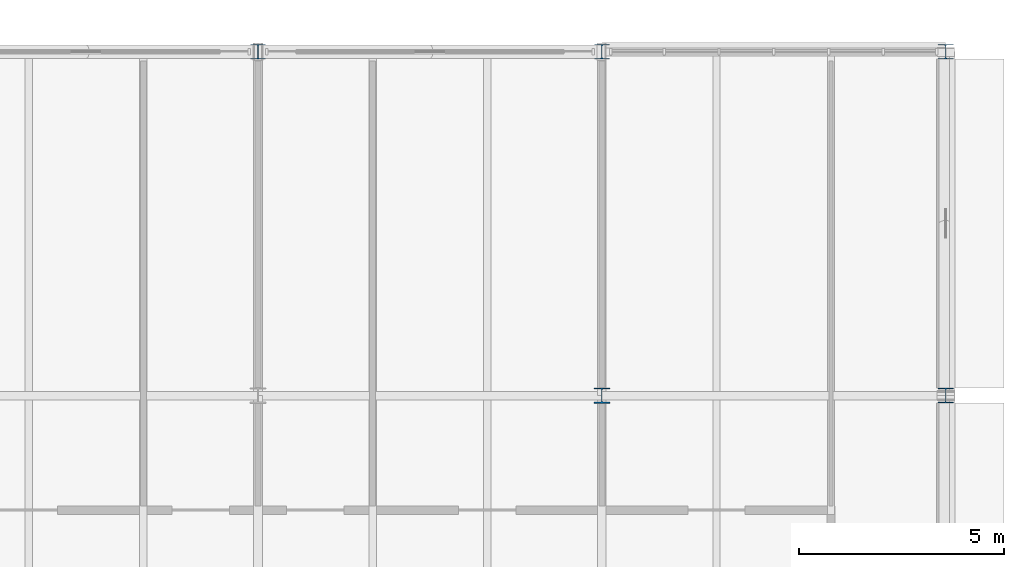
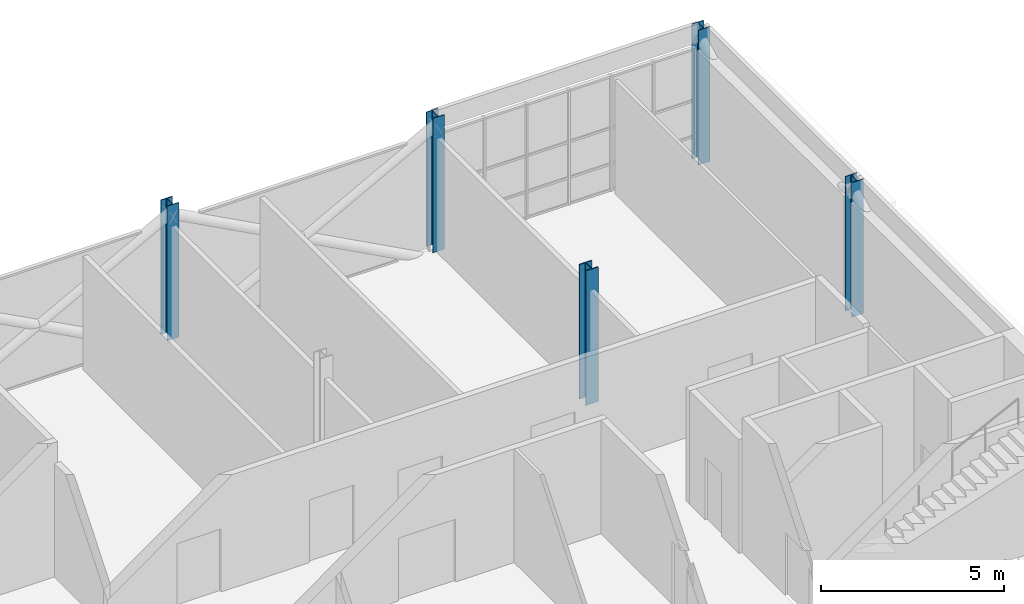
# One storey, part 6 of 121: 5 columns.
"""IFC4 building model written with IfcOpenShell, lengths in metres."""

import ifcopenshell
import ifcopenshell.guid

model = None  # the IFC model being written
_history = None  # IfcOwnerHistory: only IFC2X3 demands one
_inside = {}  # id of a spatial element -> (the spatial element, [elements in it])
_under = {}  # id of a project, library or spatial element -> (it, [spatial elements below it])
_declared = {}  # id of a project -> (the project, [libraries it declares])
_typed = {}  # id of a type object -> (the type object, [elements of that type])
_made_of = {}  # id of a material, layer set ... -> (it, [elements and type objects made of it])


def new_model(schema):
    """Start an empty IFC model of exactly this schema.

    Asked for "IFC4X3", IfcOpenShell would pick the latest addendum, in which some entities
    have other attributes; the version numbers below select the first issue.
    IFC2X3 requires an IfcOwnerHistory on every rooted entity: one is made here for all.
    """
    global model, _history
    if schema == "IFC4X3":
        model = ifcopenshell.file(schema_version=(4, 3, 0, 0))
    else:
        model = ifcopenshell.file(schema=schema)
    _inside.clear()
    _under.clear()
    _declared.clear()
    _typed.clear()
    _made_of.clear()
    _history = None
    if model.schema == "IFC2X3":
        org = make("IfcOrganization", Name="unknown")
        user = make(
            "IfcPersonAndOrganization",
            ThePerson=make("IfcPerson", FamilyName="unknown"),
            TheOrganization=org,
        )
        app = make(
            "IfcApplication",
            ApplicationDeveloper=org,
            Version="unknown",
            ApplicationFullName="unknown",
            ApplicationIdentifier="unknown",
        )
        _history = make(
            "IfcOwnerHistory",
            OwningUser=user,
            OwningApplication=app,
            ChangeAction="ADDED",
            CreationDate=0,
        )
    return model


def make(cls, **values):
    """One entity of the class cls with the attributes given. An attribute that is None is left unset."""
    return model.create_entity(
        cls, **{name: value for name, value in values.items() if value is not None}
    )


def rooted(cls, **values):
    """An entity with a GlobalId (a new one), such as an element, a storey or a relation."""
    return make(cls, GlobalId=ifcopenshell.guid.new(), OwnerHistory=_history, **values)


def si_unit(unit_type, name, prefix=None):
    """IfcSIUnit, for example si_unit("LENGTHUNIT", "METRE", prefix="MILLI")."""
    return make("IfcSIUnit", UnitType=unit_type, Prefix=prefix, Name=name)


def assignment(units):
    """IfcUnitAssignment: the units of a project."""
    return None if units is None else make("IfcUnitAssignment", Units=units)


def point(xyz):
    """IfcCartesianPoint."""
    return None if xyz is None else make("IfcCartesianPoint", Coordinates=xyz)


def direction(xyz):
    """IfcDirection."""
    return None if xyz is None else make("IfcDirection", DirectionRatios=xyz)


def frame(location, z_axis=None, x_axis=None):
    """IfcAxis2Placement3D, a coordinate frame: its origin and axes. An axis left out is left unset."""
    return make(
        "IfcAxis2Placement3D",
        Location=point(location),
        Axis=direction(z_axis),
        RefDirection=direction(x_axis),
    )


def frame_2d(location, x_axis=None):
    """IfcAxis2Placement2D, a coordinate frame in the plane: its origin and x axis."""
    return make(
        "IfcAxis2Placement2D", Location=point(location), RefDirection=direction(x_axis)
    )


def origin():
    """The frame at (0, 0, 0) with its axes left unset."""
    return frame((0.0, 0.0, 0.0))


def origin_2d():
    """The frame at (0, 0) in the plane with its x axis left unset."""
    return frame_2d((0.0, 0.0))


def place(relative_to, where):
    """IfcLocalPlacement: puts the frame where relative to a parent placement (None: the world)."""
    return make(
        "IfcLocalPlacement", PlacementRelTo=relative_to, RelativePlacement=where
    )


def context(
    kind, dimensions, precision=None, world=None, true_north=None, identifier=None
):
    """IfcGeometricRepresentationContext, for example the 3D "Model" context."""
    return make(
        "IfcGeometricRepresentationContext",
        ContextIdentifier=identifier,
        ContextType=kind,
        CoordinateSpaceDimension=dimensions,
        Precision=precision,
        WorldCoordinateSystem=world,
        TrueNorth=true_north,
    )


def subcontext(parent, identifier, kind, view, scale=None):
    """IfcGeometricRepresentationSubContext, for example "Body" below "Model"."""
    return make(
        "IfcGeometricRepresentationSubContext",
        ContextIdentifier=identifier,
        ContextType=kind,
        ParentContext=parent,
        TargetScale=scale,
        TargetView=view,
    )


def project(units=None, contexts=None):
    """IfcProject with its units and contexts."""
    return rooted(
        "IfcProject",
        Name="project",
        RepresentationContexts=contexts,
        UnitsInContext=assignment(units),
    )


def spatial(cls, under=None, at=None, **own):
    """A site, building, storey or space (cls), placed at a placement, below another one or the project."""
    s = rooted(cls, ObjectPlacement=at, **own)
    if under is not None:
        _under.setdefault(under.id(), (under, []))[1].append(s)
    return s


def profile(cls, at=None, kind="AREA", **sizes):
    """A parametric profile (cls). Its sizes go by their IFC names, for example OverallWidth=200.0."""
    return make(cls, ProfileType=kind, Position=at, **sizes)


def i_section(**sizes):
    """IfcIShapeProfileDef."""
    return profile("IfcIShapeProfileDef", **sizes)


def extrude(swept, where, along, depth):
    """IfcExtrudedAreaSolid: the profile swept, set in the frame where, extruded along a direction by depth."""
    return make(
        "IfcExtrudedAreaSolid",
        SweptArea=swept,
        Position=where,
        ExtrudedDirection=direction(along),
        Depth=depth,
    )


def shape(context_of_items, identifier, shape_type, items):
    """IfcShapeRepresentation: the items that make up one representation, for example the "Body"."""
    return make(
        "IfcShapeRepresentation",
        ContextOfItems=context_of_items,
        RepresentationIdentifier=identifier,
        RepresentationType=shape_type,
        Items=items,
    )


def material(Name=None, Category=None):
    """IfcMaterial."""
    return make("IfcMaterial", Name=Name, Category=Category)


def material_profile(
    of_material, cross_section, Name=None, Category=None, Priority=None
):
    """IfcMaterialProfile: a cross section and its material."""
    return make(
        "IfcMaterialProfile",
        Name=Name,
        Material=of_material,
        Profile=cross_section,
        Priority=Priority,
        Category=Category,
    )


def profile_set(profiles, Name=None, composite=None):
    """IfcMaterialProfileSet."""
    return make(
        "IfcMaterialProfileSet",
        Name=Name,
        MaterialProfiles=profiles,
        CompositeProfile=composite,
    )


def made_of(thing, what):
    """Note that an element or type object is made of a material, layer set ...; save() writes the relation."""
    if what is not None:
        _made_of.setdefault(what.id(), (what, []))[1].append(thing)
    return thing


def type_object(cls, material=None, **own):
    """A type object (cls), such as IfcWallType, which elements share."""
    return made_of(rooted(cls, **own), material)


def element(
    cls,
    number,
    at=None,
    inside=None,
    cuts=None,
    type_object=None,
    material=None,
    context=None,
    identifier="Body",
    shape_type=None,
    held_by="IfcProductDefinitionShape",
    body=None,
    shapes=None,
    **own,
):
    """One element of the class cls, such as IfcWall. Its Tag is "e" and its number.

    at: its placement. inside: the storey or other place that contains it. cuts: it is an
    opening in that element (IfcRelVoidsElement). A single representation is given by context,
    identifier, shape_type and body (its items); several are given by shapes. held_by: the class
    of the entity that holds the representations. save() writes the other relations.
    """
    e = rooted(cls, Tag="e%d" % number, ObjectPlacement=at, **own)
    if body is not None:
        shapes = [shape(context, identifier, shape_type, body)]
    if shapes is not None:
        e.Representation = make(held_by, Representations=shapes)
    if inside is not None:
        _inside.setdefault(inside.id(), (inside, []))[1].append(e)
    if cuts is not None:
        rooted(
            "IfcRelVoidsElement", RelatingBuildingElement=cuts, RelatedOpeningElement=e
        )
    if type_object is not None:
        _typed.setdefault(type_object.id(), (type_object, []))[1].append(e)
    return made_of(e, material)


def aggregate(whole, parts):
    """IfcRelAggregates: a whole, such as a stair, and the parts it consists of."""
    return rooted("IfcRelAggregates", RelatingObject=whole, RelatedObjects=parts)


def save(model, path):
    """Write the relations noted so far, then the file.

    IfcRelAggregates (storeys below a building ...), IfcRelContainedInSpatialStructure (elements
    in a storey), IfcRelDefinesByType, IfcRelAssociatesMaterial and IfcRelDeclares: one each for
    every whole, place, type object, material and project.
    """
    for whole, parts in _under.values():
        aggregate(whole, parts)
    for where, things in _inside.values():
        rooted(
            "IfcRelContainedInSpatialStructure",
            RelatedElements=things,
            RelatingStructure=where,
        )
    for kind, things in _typed.values():
        rooted("IfcRelDefinesByType", RelatedObjects=things, RelatingType=kind)
    for what, things in _made_of.values():
        rooted("IfcRelAssociatesMaterial", RelatedObjects=things, RelatingMaterial=what)
    for by, libraries in _declared.values():
        rooted("IfcRelDeclares", RelatingContext=by, RelatedDefinitions=libraries)
    model.write(path)


model = new_model("IFC4")

# Units and contexts
model_context = context("Model", 3, precision=1e-05, world=origin(), true_north=direction((0.0, 1.0)))
body_context = subcontext(model_context, "Body", "Model", "MODEL_VIEW")
ifc_project = project(units=[si_unit("LENGTHUNIT", "METRE"), si_unit("AREAUNIT", "SQUARE_METRE"), si_unit("VOLUMEUNIT", "CUBIC_METRE"), si_unit("PLANEANGLEUNIT", "RADIAN"), si_unit("MASSUNIT", "GRAM", prefix="KILO")], contexts=[model_context])

# Site, building, storey
site_placement = place(None, origin())
site = spatial("IfcSite", under=ifc_project, at=site_placement, CompositionType="ELEMENT")
building_placement = place(site_placement, origin())
building = spatial("IfcBuilding", under=site, at=building_placement, Name="Ardhachandra Cancer Care Centre", CompositionType="ELEMENT")
storey_placement = place(building_placement, frame((0.0, 0.0, 9.0)))
storey = spatial("IfcBuildingStorey", under=building, at=storey_placement, Name="L02", CompositionType="ELEMENT", Elevation=9.0)

# Columns
ifc_material_1 = material(Name="Steel E350 (IS 2062)", Category="steel")
ifc_material_profile_1 = material_profile(ifc_material_1, i_section(OverallWidth=0.37109375, OverallDepth=0.364013671875, WebThickness=0.01318359375, FlangeThickness=0.021728515625, FilletRadius=0.027099609375, at=origin_2d()), Name="WPB 360x370x165.34")
ifc_profile_set_1 = profile_set([ifc_material_profile_1], Name="Steel E350 (IS 2062)")
column_type_1 = type_object("IfcColumnType", Name="Column WPB 360x370x165.34", PredefinedType="COLUMN", material=ifc_profile_set_1)
for number, where, z_axis, x_axis, name in (
    (1, (145.199951171875, 96.60009765625, 0.0), (0.0, 0.0, 1.0), (1.0, 0.0, 0.0), "Column L17 L02"),
    (2, (128.39990234375, 105.0, 0.0), (0.0, 0.0, 1.0), (1.0, 0.0, 0.0), "Column M15 L02"),
    (3, (136.800048828125, 105.0, 0.0), (0.0, 0.0, 1.0), (1.0, 0.0, 0.0), "Column M16 L02"),
    (4, (145.199951171875, 105.0, 0.0), (0.0, 0.0, 1.0), (1.0, 0.0, 0.0), "Column M17 L02"),
):
    element("IfcColumn", number, at=place(storey_placement, frame(where, z_axis=z_axis, x_axis=x_axis)), inside=storey, type_object=column_type_1, Name=name, PredefinedType="COLUMN", context=body_context, shape_type="SweptSolid", body=[
        extrude(i_section(OverallWidth=0.37109375, OverallDepth=0.364013671875, WebThickness=0.01318359375, FlangeThickness=0.021728515625, FilletRadius=0.027099609375, at=origin_2d()), origin(), (0.0, 0.0, 1.0), 4.5),
    ])
ifc_material_2 = material(Name="Steel E350 (IS 2062)", Category="steel")
ifc_material_profile_2 = material_profile(ifc_material_2, i_section(OverallWidth=0.39501953125, OverallDepth=0.3798828125, WebThickness=0.018798828125, FlangeThickness=0.0302734375, FilletRadius=0.027099609375, at=origin_2d()), Name="WPB 400x400x239.62")
ifc_profile_set_2 = profile_set([ifc_material_profile_2], Name="Steel E350 (IS 2062)")
column_type_2 = type_object("IfcColumnType", Name="Column WPB 400x400x239.62", PredefinedType="COLUMN", material=ifc_profile_set_2)
column_placement = place(storey_placement, frame((136.800048828125, 96.60009765625, 0.0), z_axis=(0.0, 0.0, 1.0), x_axis=(1.0, 0.0, 0.0)))
element("IfcColumn", 5, at=column_placement, inside=storey, type_object=column_type_2, Name="Column L16 L02", PredefinedType="COLUMN", context=body_context, shape_type="SweptSolid", body=[
    extrude(i_section(OverallWidth=0.39501953125, OverallDepth=0.3798828125, WebThickness=0.018798828125, FlangeThickness=0.0302734375, FilletRadius=0.027099609375, at=origin_2d()), origin(), (0.0, 0.0, 1.0), 4.5),
])

save(model, "model.ifc")
